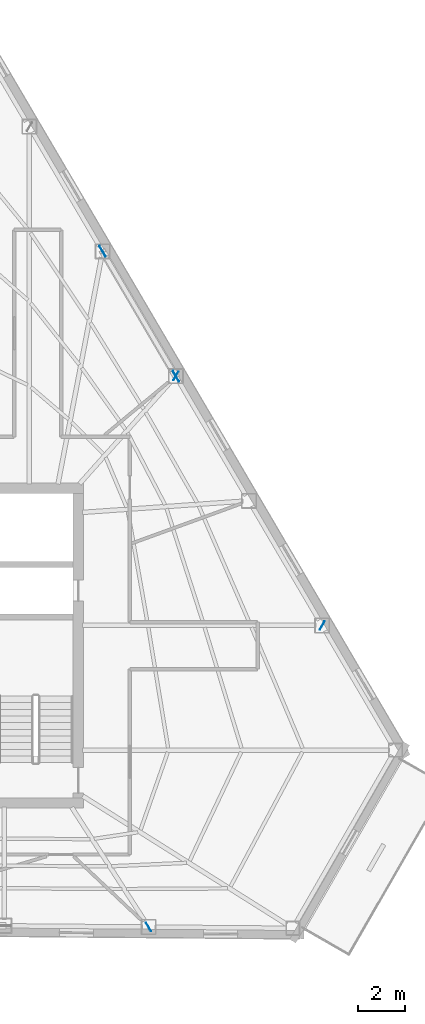
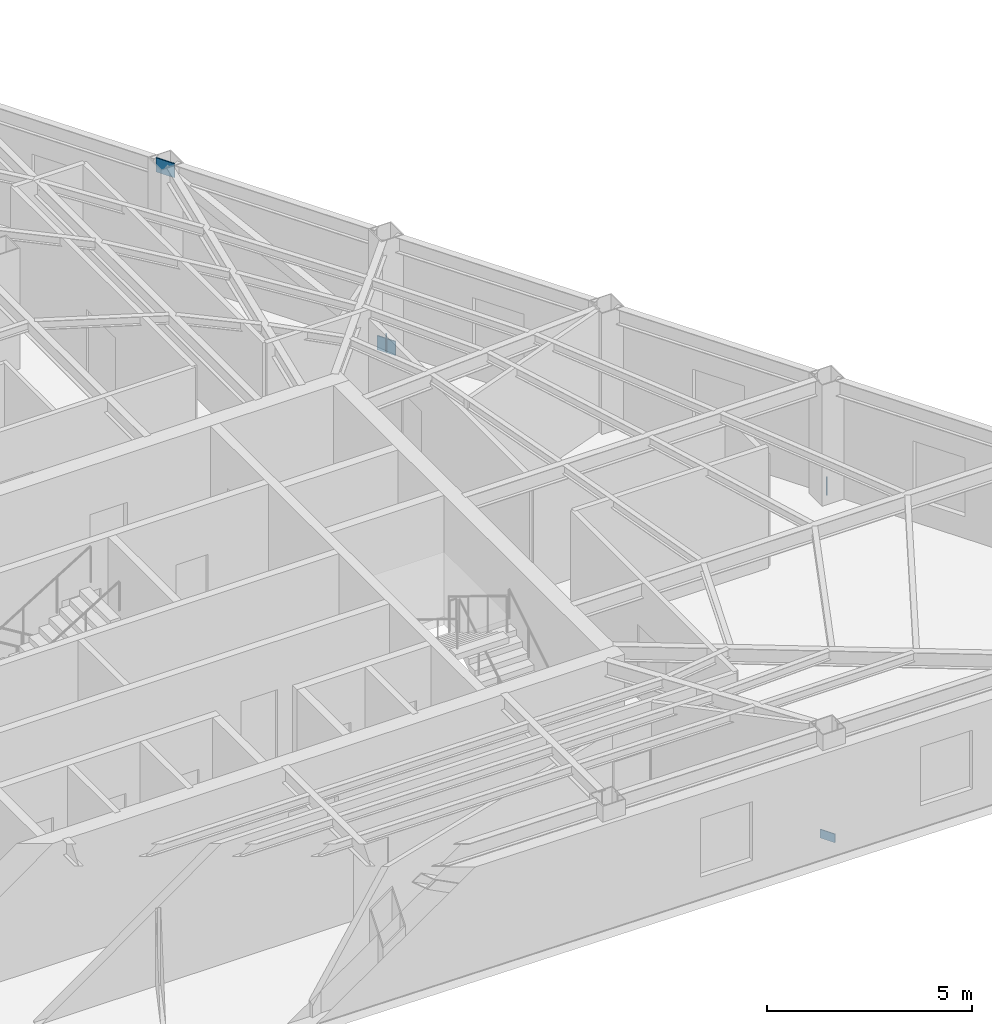
# One storey, part 5 of 12: 5 plates.
"""IFC4 building model written with IfcOpenShell, lengths in metres."""

from ifc_helpers import new_model, si_unit, direction, frame, origin, origin_2d, place, context, subcontext, project, spatial, rectangle, extrude, material, layer, layer_set, type_object, element, save


model = new_model("IFC4")

# Units and contexts
model_context = context("Model", 3, precision=1e-05, world=origin(), true_north=direction((0.0, 1.0)))
body_context = subcontext(model_context, "Body", "Model", "MODEL_VIEW")
ifc_project = project(units=[si_unit("LENGTHUNIT", "METRE"), si_unit("AREAUNIT", "SQUARE_METRE"), si_unit("VOLUMEUNIT", "CUBIC_METRE"), si_unit("PLANEANGLEUNIT", "RADIAN"), si_unit("MASSUNIT", "GRAM", prefix="KILO")], contexts=[model_context])

# Site, building, storey
site_placement = place(None, origin())
site = spatial("IfcSite", under=ifc_project, at=site_placement, CompositionType="ELEMENT")
building_placement = place(site_placement, origin())
building = spatial("IfcBuilding", under=site, at=building_placement, Name="Kavelnor Concourse Tower", CompositionType="ELEMENT")
storey_placement = place(building_placement, frame((0.0, 0.0, 191.949951171875)))
storey = spatial("IfcBuildingStorey", under=building, at=storey_placement, Name="L48", CompositionType="ELEMENT", Elevation=191.949951171875)

# Plates
ifc_material = material(Name="Steel Grade 350", Category="steel")
ifc_layer_1 = layer(ifc_material, 0.031982421875, Name="Steel Grade 350")
ifc_layer_set_1 = layer_set([ifc_layer_1], Name="Steel Grade 350")
plate_type_1 = type_object("IfcPlateType", Name="PL-GUSSET-TUBE-Z1", PredefinedType="USERDEFINED", material=ifc_layer_set_1)
for number, where, z_axis, x_axis, name in (
    (1, (51.9072265625, 27.6025390625, 0.010009765625), (0.0, 0.0, 1.0), (-0.506334807353, 0.862336977557, 0.0), "L48 Tube Brace Gusset GP3 F2-B3 End Gusset A"),
    (2, (48.768798828125, 32.947998046875, 3.16015625), (0.0, 0.0, 1.0), (-0.506334807353, 0.862336977557, 0.0), "L48 Tube Brace Gusset GP3 F2-B3 End Gusset B"),
):
    element("IfcPlate", number, at=place(storey_placement, frame(where, z_axis=z_axis, x_axis=x_axis)), inside=storey, type_object=plate_type_1, Name=name, ObjectType="GUSSET_PLATE", PredefinedType="USERDEFINED", context=body_context, shape_type="SweptSolid", body=[
        extrude(rectangle(XDim=0.52001953125, YDim=0.031982421875, at=origin_2d()), origin(), (0.0, 0.0, 1.0), 0.419921875),
    ])
ifc_layer_2 = layer(ifc_material, 0.02490234375, Name="Steel Grade 350")
ifc_layer_set_2 = layer_set([ifc_layer_2], Name="Steel Grade 350")
plate_type_2 = type_object("IfcPlateType", Name="PL-SPLICE-FLANGE", PredefinedType="SHEET", material=ifc_layer_set_2)
for number, where, z_axis, x_axis, name in (
    (3, (50.7392578125, 4.083740234375, 0.169921875), (0.0, 0.0, 1.0), (-0.5, 0.866025403784, 0.0), "L48 Column Flange Splice Plate F1-B5"),
    (4, (58.15380859375, 16.96337890625, 0.169921875), (0.0, 0.0, 1.0), (-0.5, -0.866025403784, 0.0), "L48 Column Flange Splice Plate F2-B1"),
    (5, (51.901123046875, 27.61279296875, 0.169921875), (0.0, 0.0, 1.0), (-0.5, -0.866025403784, 0.0), "L48 Column Flange Splice Plate F2-B3"),
):
    element("IfcPlate", number, at=place(storey_placement, frame(where, z_axis=z_axis, x_axis=x_axis)), inside=storey, type_object=plate_type_2, Name=name, PredefinedType="SHEET", context=body_context, shape_type="SweptSolid", body=[
        extrude(rectangle(XDim=0.419921875, YDim=0.02490234375, at=origin_2d()), origin(), (0.0, 0.0, 1.0), 0.260009765625),
    ])

save(model, "model.ifc")
